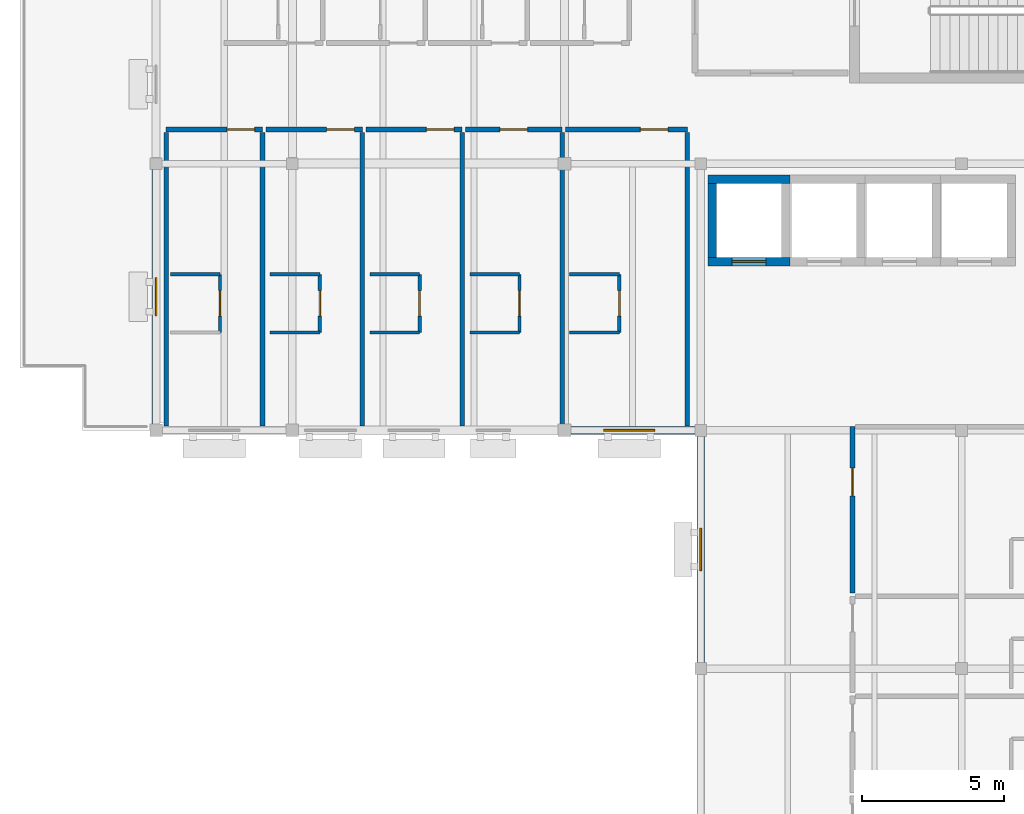
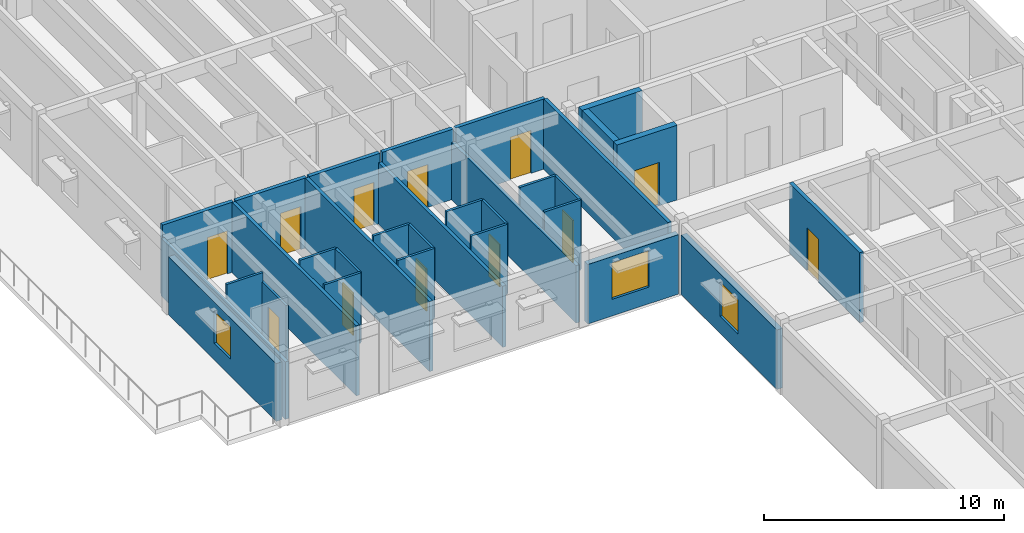
# One storey, part 7 of 15: 32 walls, 12 doors, 3 windows, 15 openings.
"""IFC4 building model written with IfcOpenShell, lengths in metres."""

from ifc_helpers import new_model, si_unit, direction, frame, frame_2d, origin, place, context, subcontext, project, spatial, rectangle, extrude, material, layer, layer_set, type_object, element, fill, save


model = new_model("IFC4")

# Units and contexts
model_context = context("Model", 3, precision=1e-05, world=origin(), true_north=direction((0.0, 1.0)))
body_context = subcontext(model_context, "Body", "Model", "MODEL_VIEW")
ifc_project = project(units=[si_unit("LENGTHUNIT", "METRE"), si_unit("AREAUNIT", "SQUARE_METRE"), si_unit("VOLUMEUNIT", "CUBIC_METRE"), si_unit("PLANEANGLEUNIT", "RADIAN"), si_unit("MASSUNIT", "GRAM", prefix="KILO")], contexts=[model_context])

# Site, building, storey
site_placement = place(None, origin())
site = spatial("IfcSite", under=ifc_project, at=site_placement, CompositionType="ELEMENT")
building_placement = place(site_placement, origin())
building = spatial("IfcBuilding", under=site, at=building_placement, Name="Veldera Park Congress Hotel", CompositionType="ELEMENT")
storey_placement = place(building_placement, frame((0.0, 0.0, 39.0)))
storey = spatial("IfcBuildingStorey", under=building, at=storey_placement, Name="L09", CompositionType="ELEMENT", Elevation=39.0)

# Wall, opening, window
ifc_material_1 = material(Name="Cross-laminated timber CLT V2M1.1", Category="wood")
ifc_layer_1 = layer(ifc_material_1, 0.280029296875)
ifc_layer_set_1 = layer_set([ifc_layer_1], Name="Cross-laminated timber CLT V2M1.1")
wall_type_1 = type_object("IfcWallType", Name="EW-CLT280", PredefinedType="STANDARD", material=ifc_layer_set_1)
wall_1_placement = place(storey_placement, frame((46.39990234375, 36.19189453125, 0.0), z_axis=(0.0, 0.0, 1.0), x_axis=(0.0, -1.0, 0.0)))
wall_1 = element("IfcWall", 1, at=wall_1_placement, inside=storey, type_object=wall_type_1, Name="L09 Exterior Wall EW3-L09-0413", PredefinedType="STANDARD", context=body_context, shape_type="SweptSolid", body=[
    extrude(rectangle(XDim=8.968994140625, YDim=0.280029296875, at=frame_2d((4.484375, 0.0))), origin(), (0.0, 0.0, 1.0), 2.93994140625),
])
opening_1_placement = place(wall_1_placement, frame((3.8095703125, 0.0, 0.85009765625)))
opening_1 = element("IfcOpeningElement", 2, at=opening_1_placement, cuts=wall_1, Name="Opening WIN-1350", PredefinedType="OPENING", context=body_context, shape_type="SweptSolid", body=[
    extrude(rectangle(XDim=1.35009765625, YDim=1.64990234375, at=frame_2d((0.675048828125, 0.824951171875))), frame((0.0, 0.152099609375, 0.0), z_axis=(0.0, -1.0, 0.0), x_axis=(1.0, 0.0, 0.0)), (0.0, 0.0, 1.0), 0.303955078125),
])
ifc_material_2 = material(Name="Low-E Triple Insulating Glass Unit (SHGC 0.22)", Category="glass")
window_type_1 = type_object("IfcWindowType", Name="WIN-1350", PartitioningType="SINGLE_PANEL", PredefinedType="WINDOW", material=ifc_material_2)
window_1_placement = place(opening_1_placement, origin())
window_1 = element("IfcWindow", 3, at=window_1_placement, inside=storey, type_object=window_type_1, Name="L09 Window WIN-1350 320", OverallHeight=1.64990234375, OverallWidth=1.35009765625, PartitioningType="SINGLE_PANEL", PredefinedType="WINDOW", context=body_context, shape_type="SweptSolid", body=[
    extrude(rectangle(XDim=1.35009765625, YDim=1.64990234375, at=frame_2d((0.675048828125, 0.824951171875))), frame((0.0, 0.030029296875, 0.0), z_axis=(0.0, -1.0, 0.0), x_axis=(1.0, 0.0, 0.0)), (0.0, 0.0, 1.0), 0.06005859375),
])
fill(opening_1, window_1)

wall_2_placement = place(storey_placement, frame((61.02294921875, 27.0, 0.0), z_axis=(0.0, 0.0, 1.0), x_axis=(1.0, 0.0, 0.0)))
wall_2 = element("IfcWall", 4, at=wall_2_placement, inside=storey, type_object=wall_type_1, Name="L09 Exterior Wall EW3-L09-0416", PredefinedType="STANDARD", context=body_context, shape_type="SweptSolid", body=[
    extrude(rectangle(XDim=4.369140625, YDim=0.280029296875, at=frame_2d((2.1845703125, 0.0))), origin(), (0.0, 0.0, 1.0), 3.02001953125),
])
opening_2_placement = place(wall_2_placement, frame((1.153564453125, 0.0, 0.85009765625)))
opening_2 = element("IfcOpeningElement", 5, at=opening_2_placement, cuts=wall_2, Name="Opening WIN-1800", PredefinedType="OPENING", context=body_context, shape_type="SweptSolid", body=[
    extrude(rectangle(XDim=1.800048828125, YDim=1.85009765625, at=frame_2d((0.89990234375, 0.925048828125))), frame((0.0, 0.152099609375, 0.0), z_axis=(0.0, -1.0, 0.0), x_axis=(1.0, 0.0, 0.0)), (0.0, 0.0, 1.0), 0.303955078125),
])
window_type_2 = type_object("IfcWindowType", Name="WIN-1800", PartitioningType="SINGLE_PANEL", PredefinedType="WINDOW", material=ifc_material_2)
window_2_placement = place(opening_2_placement, origin())
window_2 = element("IfcWindow", 6, at=window_2_placement, inside=storey, type_object=window_type_2, Name="L09 Window WIN-1800 574", OverallHeight=1.85009765625, OverallWidth=1.800048828125, PartitioningType="SINGLE_PANEL", PredefinedType="WINDOW", context=body_context, shape_type="SweptSolid", body=[
    extrude(rectangle(XDim=1.800048828125, YDim=1.85009765625, at=frame_2d((0.89990234375, 0.925048828125))), frame((0.0, 0.030029296875, 0.0), z_axis=(0.0, -1.0, 0.0), x_axis=(1.0, 0.0, 0.0)), (0.0, 0.0, 1.0), 0.06005859375),
])
fill(opening_2, window_2)

wall_3_placement = place(storey_placement, frame((65.60009765625, 26.7919921875, 0.0), z_axis=(0.0, 0.0, 1.0), x_axis=(0.0, -1.0, 0.0)))
wall_3 = element("IfcWall", 7, at=wall_3_placement, inside=storey, type_object=wall_type_1, Name="L09 Exterior Wall EW3-L09-0417", PredefinedType="STANDARD", context=body_context, shape_type="SweptSolid", body=[
    extrude(rectangle(XDim=7.98388671875, YDim=0.280029296875, at=frame_2d((3.991943359375, 0.0))), origin(), (0.0, 0.0, 1.0), 3.02001953125),
])
opening_3_placement = place(wall_3_placement, frame((3.241943359375, 0.0, 0.85009765625)))
opening_3 = element("IfcOpeningElement", 8, at=opening_3_placement, cuts=wall_3, Name="Opening WIN-1500", PredefinedType="OPENING", context=body_context, shape_type="SweptSolid", body=[
    extrude(rectangle(XDim=1.5, YDim=1.75, at=frame_2d((0.75, 0.875))), frame((0.0, 0.152099609375, 0.0), z_axis=(0.0, -1.0, 0.0), x_axis=(1.0, 0.0, 0.0)), (0.0, 0.0, 1.0), 0.303955078125),
])
window_type_3 = type_object("IfcWindowType", Name="WIN-1500", PartitioningType="SINGLE_PANEL", PredefinedType="WINDOW", material=ifc_material_2)
window_3_placement = place(opening_3_placement, origin())
window_3 = element("IfcWindow", 9, at=window_3_placement, inside=storey, type_object=window_type_3, Name="L09 Window WIN-1500 322", OverallHeight=1.75, OverallWidth=1.5, PartitioningType="SINGLE_PANEL", PredefinedType="WINDOW", context=body_context, shape_type="SweptSolid", body=[
    extrude(rectangle(XDim=1.5, YDim=1.75, at=frame_2d((0.75, 0.875))), frame((0.0, 0.030029296875, 0.0), z_axis=(0.0, -1.0, 0.0), x_axis=(1.0, 0.0, 0.0)), (0.0, 0.0, 1.0), 0.06005859375),
])
fill(opening_3, window_3)

# Wall
ifc_material_3 = material(Name="Fire-Rated Gypsum Board on Cold-Formed Steel Studs", Category="steel")
ifc_layer_2 = layer(ifc_material_3, 0.1201171875)
ifc_layer_set_2 = layer_set([ifc_layer_2], Name="Fire-Rated Gypsum Board on Cold-Formed Steel Studs")
wall_type_2 = type_object("IfcWallType", Name="IW-BATH120", PredefinedType="PARTITIONING", material=ifc_layer_set_2)
wall_4_placement = place(storey_placement, frame((46.89990234375, 32.5, 0.0), z_axis=(0.0, 0.0, 1.0), x_axis=(1.0, 0.0, 0.0)))
element("IfcWall", 10, at=wall_4_placement, inside=storey, type_object=wall_type_2, Name="L09 Partition Wall IW3-L09-01637", PredefinedType="PARTITIONING", context=body_context, shape_type="SweptSolid", body=[
    extrude(rectangle(XDim=1.75, YDim=0.1201171875, at=frame_2d((0.875, 0.0))), origin(), (0.0, 0.0, 1.0), 3.56494140625),
])

# Wall, opening, door
wall_5_placement = place(storey_placement, frame((48.64990234375, 30.449951171875, 0.0), z_axis=(0.0, 0.0, 1.0), x_axis=(0.0, 1.0, 0.0)))
wall_5 = element("IfcWall", 11, at=wall_5_placement, inside=storey, type_object=wall_type_2, Name="L09 Partition Wall IW3-L09-01638", PredefinedType="PARTITIONING", context=body_context, shape_type="SweptSolid", body=[
    extrude(rectangle(XDim=2.050048828125, YDim=0.1201171875, at=frame_2d((1.02490234375, 0.0))), origin(), (0.0, 0.0, 1.0), 3.110107421875),
])
opening_4_placement = place(wall_5_placement, frame((0.574951171875, 0.0, 0.0)))
opening_4 = element("IfcOpeningElement", 12, at=opening_4_placement, cuts=wall_5, Name="Opening ID-BATH090", PredefinedType="OPENING", context=body_context, shape_type="SweptSolid", body=[
    extrude(rectangle(XDim=0.89990234375, YDim=2.14990234375, at=frame_2d((0.449951171875, 1.074951171875))), frame((0.0, 0.072021484375, 0.0), z_axis=(0.0, -1.0, 0.0), x_axis=(1.0, 0.0, 0.0)), (0.0, 0.0, 1.0), 0.14404296875),
])
ifc_material_4 = material(Name="Solid Core White Oak Architectural Door", Category="wood")
door_type_1 = type_object("IfcDoorType", Name="ID-BATH090", OperationType="NOTDEFINED", PredefinedType="DOOR", material=ifc_material_4)
door_1_placement = place(opening_4_placement, origin())
door_1 = element("IfcDoor", 13, at=door_1_placement, inside=storey, type_object=door_type_1, Name="L09 En-suite 267 Door ID3-L09-0673 (DR3-ID3-L09-0673)", OperationType="SINGLE_SWING_LEFT", OverallHeight=2.14990234375, OverallWidth=0.89990234375, PredefinedType="DOOR", context=body_context, shape_type="SweptSolid", body=[
    extrude(rectangle(XDim=0.89990234375, YDim=2.14990234375, at=frame_2d((0.449951171875, 1.074951171875))), frame((0.0, 0.02490234375, 0.0), z_axis=(0.0, -1.0, 0.0), x_axis=(1.0, 0.0, 0.0)), (0.0, 0.0, 1.0), 0.050048828125),
])
fill(opening_4, door_1)

# Wall
wall_6_placement = place(storey_placement, frame((50.419921875, 32.5, 0.0), z_axis=(0.0, 0.0, 1.0), x_axis=(1.0, 0.0, 0.0)))
element("IfcWall", 14, at=wall_6_placement, inside=storey, type_object=wall_type_2, Name="L09 Partition Wall IW3-L09-01642", PredefinedType="PARTITIONING", context=body_context, shape_type="SweptSolid", body=[
    extrude(rectangle(XDim=1.75, YDim=0.1201171875, at=frame_2d((0.875, 0.0))), origin(), (0.0, 0.0, 1.0), 3.56494140625),
])

# Wall, opening, door
wall_7_placement = place(storey_placement, frame((52.169921875, 30.449951171875, 0.0), z_axis=(0.0, 0.0, 1.0), x_axis=(0.0, 1.0, 0.0)))
wall_7 = element("IfcWall", 15, at=wall_7_placement, inside=storey, type_object=wall_type_2, Name="L09 Partition Wall IW3-L09-01643", PredefinedType="PARTITIONING", context=body_context, shape_type="SweptSolid", body=[
    extrude(rectangle(XDim=2.050048828125, YDim=0.1201171875, at=frame_2d((1.02490234375, 0.0))), origin(), (0.0, 0.0, 1.0), 3.56494140625),
])
opening_5_placement = place(wall_7_placement, frame((0.574951171875, 0.0, 0.0)))
opening_5 = element("IfcOpeningElement", 16, at=opening_5_placement, cuts=wall_7, Name="Opening ID-BATH090", PredefinedType="OPENING", context=body_context, shape_type="SweptSolid", body=[
    extrude(rectangle(XDim=0.89990234375, YDim=2.14990234375, at=frame_2d((0.449951171875, 1.074951171875))), frame((0.0, 0.072021484375, 0.0), z_axis=(0.0, -1.0, 0.0), x_axis=(1.0, 0.0, 0.0)), (0.0, 0.0, 1.0), 0.14404296875),
])
door_2_placement = place(opening_5_placement, origin())
door_2 = element("IfcDoor", 17, at=door_2_placement, inside=storey, type_object=door_type_1, Name="L09 En-suite 268 Door ID3-L09-0675 (DR3-ID3-L09-0675)", OperationType="SINGLE_SWING_LEFT", OverallHeight=2.14990234375, OverallWidth=0.89990234375, PredefinedType="DOOR", context=body_context, shape_type="SweptSolid", body=[
    extrude(rectangle(XDim=0.89990234375, YDim=2.14990234375, at=frame_2d((0.449951171875, 1.074951171875))), frame((0.0, 0.02490234375, 0.0), z_axis=(0.0, -1.0, 0.0), x_axis=(1.0, 0.0, 0.0)), (0.0, 0.0, 1.0), 0.050048828125),
])
fill(opening_5, door_2)

# Walls
for number, where, z_axis, x_axis, name in (
    (18, (50.419921875, 30.449951171875, 0.0), (0.0, 0.0, 1.0), (1.0, 0.0, 0.0), "L09 Partition Wall IW3-L09-01644"),
    (19, (53.93994140625, 32.5, 0.0), (0.0, 0.0, 1.0), (1.0, 0.0, 0.0), "L09 Partition Wall IW3-L09-01647"),
):
    element("IfcWall", number, at=place(storey_placement, frame(where, z_axis=z_axis, x_axis=x_axis)), inside=storey, type_object=wall_type_2, Name=name, PredefinedType="PARTITIONING", context=body_context, shape_type="SweptSolid", body=[
        extrude(rectangle(XDim=1.75, YDim=0.1201171875, at=frame_2d((0.875, 0.0))), origin(), (0.0, 0.0, 1.0), 3.56494140625),
    ])

# Wall, opening, door
wall_8_placement = place(storey_placement, frame((55.68994140625, 30.449951171875, 0.0), z_axis=(0.0, 0.0, 1.0), x_axis=(0.0, 1.0, 0.0)))
wall_8 = element("IfcWall", 20, at=wall_8_placement, inside=storey, type_object=wall_type_2, Name="L09 Partition Wall IW3-L09-01648", PredefinedType="PARTITIONING", context=body_context, shape_type="SweptSolid", body=[
    extrude(rectangle(XDim=2.050048828125, YDim=0.1201171875, at=frame_2d((1.02490234375, 0.0))), origin(), (0.0, 0.0, 1.0), 3.56494140625),
])
opening_6_placement = place(wall_8_placement, frame((0.574951171875, 0.0, 0.0)))
opening_6 = element("IfcOpeningElement", 21, at=opening_6_placement, cuts=wall_8, Name="Opening ID-BATH090", PredefinedType="OPENING", context=body_context, shape_type="SweptSolid", body=[
    extrude(rectangle(XDim=0.89990234375, YDim=2.14990234375, at=frame_2d((0.449951171875, 1.074951171875))), frame((0.0, 0.072021484375, 0.0), z_axis=(0.0, -1.0, 0.0), x_axis=(1.0, 0.0, 0.0)), (0.0, 0.0, 1.0), 0.14404296875),
])
door_3_placement = place(opening_6_placement, origin())
door_3 = element("IfcDoor", 22, at=door_3_placement, inside=storey, type_object=door_type_1, Name="L09 En-suite 269 Door ID3-L09-0677 (DR3-ID3-L09-0677)", OperationType="SINGLE_SWING_LEFT", OverallHeight=2.14990234375, OverallWidth=0.89990234375, PredefinedType="DOOR", context=body_context, shape_type="SweptSolid", body=[
    extrude(rectangle(XDim=0.89990234375, YDim=2.14990234375, at=frame_2d((0.449951171875, 1.074951171875))), frame((0.0, 0.02490234375, 0.0), z_axis=(0.0, -1.0, 0.0), x_axis=(1.0, 0.0, 0.0)), (0.0, 0.0, 1.0), 0.050048828125),
])
fill(opening_6, door_3)

# Walls
for number, where, z_axis, x_axis, name in (
    (23, (53.93994140625, 30.449951171875, 0.0), (0.0, 0.0, 1.0), (1.0, 0.0, 0.0), "L09 Partition Wall IW3-L09-01649"),
    (24, (57.4599609375, 32.5, 0.0), (0.0, 0.0, 1.0), (1.0, 0.0, 0.0), "L09 Partition Wall IW3-L09-01652"),
):
    element("IfcWall", number, at=place(storey_placement, frame(where, z_axis=z_axis, x_axis=x_axis)), inside=storey, type_object=wall_type_2, Name=name, PredefinedType="PARTITIONING", context=body_context, shape_type="SweptSolid", body=[
        extrude(rectangle(XDim=1.75, YDim=0.1201171875, at=frame_2d((0.875, 0.0))), origin(), (0.0, 0.0, 1.0), 3.56494140625),
    ])

# Wall, opening, door
wall_9_placement = place(storey_placement, frame((59.2099609375, 30.449951171875, 0.0), z_axis=(0.0, 0.0, 1.0), x_axis=(0.0, 1.0, 0.0)))
wall_9 = element("IfcWall", 25, at=wall_9_placement, inside=storey, type_object=wall_type_2, Name="L09 Partition Wall IW3-L09-01653", PredefinedType="PARTITIONING", context=body_context, shape_type="SweptSolid", body=[
    extrude(rectangle(XDim=2.050048828125, YDim=0.1201171875, at=frame_2d((1.02490234375, 0.0))), origin(), (0.0, 0.0, 1.0), 3.56494140625),
])
opening_7_placement = place(wall_9_placement, frame((0.574951171875, 0.0, 0.0)))
opening_7 = element("IfcOpeningElement", 26, at=opening_7_placement, cuts=wall_9, Name="Opening ID-BATH090", PredefinedType="OPENING", context=body_context, shape_type="SweptSolid", body=[
    extrude(rectangle(XDim=0.89990234375, YDim=2.14990234375, at=frame_2d((0.449951171875, 1.074951171875))), frame((0.0, 0.072021484375, 0.0), z_axis=(0.0, -1.0, 0.0), x_axis=(1.0, 0.0, 0.0)), (0.0, 0.0, 1.0), 0.14404296875),
])
door_4_placement = place(opening_7_placement, origin())
door_4 = element("IfcDoor", 27, at=door_4_placement, inside=storey, type_object=door_type_1, Name="L09 En-suite 270 Door ID3-L09-0679 (DR3-ID3-L09-0679)", OperationType="SINGLE_SWING_LEFT", OverallHeight=2.14990234375, OverallWidth=0.89990234375, PredefinedType="DOOR", context=body_context, shape_type="SweptSolid", body=[
    extrude(rectangle(XDim=0.89990234375, YDim=2.14990234375, at=frame_2d((0.449951171875, 1.074951171875))), frame((0.0, 0.02490234375, 0.0), z_axis=(0.0, -1.0, 0.0), x_axis=(1.0, 0.0, 0.0)), (0.0, 0.0, 1.0), 0.050048828125),
])
fill(opening_7, door_4)

# Walls
for number, where, z_axis, x_axis, name in (
    (28, (57.4599609375, 30.449951171875, 0.0), (0.0, 0.0, 1.0), (1.0, 0.0, 0.0), "L09 Partition Wall IW3-L09-01654"),
    (29, (60.97998046875, 32.5, 0.0), (0.0, 0.0, 1.0), (1.0, 0.0, 0.0), "L09 Partition Wall IW3-L09-01657"),
):
    element("IfcWall", number, at=place(storey_placement, frame(where, z_axis=z_axis, x_axis=x_axis)), inside=storey, type_object=wall_type_2, Name=name, PredefinedType="PARTITIONING", context=body_context, shape_type="SweptSolid", body=[
        extrude(rectangle(XDim=1.75, YDim=0.1201171875, at=frame_2d((0.875, 0.0))), origin(), (0.0, 0.0, 1.0), 3.56494140625),
    ])

# Wall, opening, door
wall_10_placement = place(storey_placement, frame((62.72998046875, 30.449951171875, 0.0), z_axis=(0.0, 0.0, 1.0), x_axis=(0.0, 1.0, 0.0)))
wall_10 = element("IfcWall", 30, at=wall_10_placement, inside=storey, type_object=wall_type_2, Name="L09 Partition Wall IW3-L09-01658", PredefinedType="PARTITIONING", context=body_context, shape_type="SweptSolid", body=[
    extrude(rectangle(XDim=2.050048828125, YDim=0.1201171875, at=frame_2d((1.02490234375, 0.0))), origin(), (0.0, 0.0, 1.0), 3.56494140625),
])
opening_8_placement = place(wall_10_placement, frame((0.574951171875, 0.0, 0.0)))
opening_8 = element("IfcOpeningElement", 31, at=opening_8_placement, cuts=wall_10, Name="Opening ID-BATH090", PredefinedType="OPENING", context=body_context, shape_type="SweptSolid", body=[
    extrude(rectangle(XDim=0.89990234375, YDim=2.14990234375, at=frame_2d((0.449951171875, 1.074951171875))), frame((0.0, 0.072021484375, 0.0), z_axis=(0.0, -1.0, 0.0), x_axis=(1.0, 0.0, 0.0)), (0.0, 0.0, 1.0), 0.14404296875),
])
door_5_placement = place(opening_8_placement, origin())
door_5 = element("IfcDoor", 32, at=door_5_placement, inside=storey, type_object=door_type_1, Name="L09 En-suite 271 Door ID3-L09-0681 (DR3-ID3-L09-0681)", OperationType="SINGLE_SWING_LEFT", OverallHeight=2.14990234375, OverallWidth=0.89990234375, PredefinedType="DOOR", context=body_context, shape_type="SweptSolid", body=[
    extrude(rectangle(XDim=0.89990234375, YDim=2.14990234375, at=frame_2d((0.449951171875, 1.074951171875))), frame((0.0, 0.02490234375, 0.0), z_axis=(0.0, -1.0, 0.0), x_axis=(1.0, 0.0, 0.0)), (0.0, 0.0, 1.0), 0.050048828125),
])
fill(opening_8, door_5)

# Wall
wall_11_placement = place(storey_placement, frame((60.97998046875, 30.449951171875, 0.0), z_axis=(0.0, 0.0, 1.0), x_axis=(1.0, 0.0, 0.0)))
element("IfcWall", 33, at=wall_11_placement, inside=storey, type_object=wall_type_2, Name="L09 Partition Wall IW3-L09-01659", PredefinedType="PARTITIONING", context=body_context, shape_type="SweptSolid", body=[
    extrude(rectangle(XDim=1.75, YDim=0.1201171875, at=frame_2d((0.875, 0.0))), origin(), (0.0, 0.0, 1.0), 3.56494140625),
])

# Wall, opening, door
ifc_layer_3 = layer(ifc_material_3, 0.179931640625)
ifc_layer_set_3 = layer_set([ifc_layer_3], Name="Fire-Rated Gypsum Board on Cold-Formed Steel Studs")
wall_type_3 = type_object("IfcWallType", Name="IW-CORR180", PredefinedType="PARTITIONING", material=ifc_layer_set_3)
wall_12_placement = place(storey_placement, frame((70.949951171875, 27.1298828125, 0.0), z_axis=(0.0, 0.0, 1.0), x_axis=(0.0, -1.0, 0.0)))
wall_12 = element("IfcWall", 34, at=wall_12_placement, inside=storey, type_object=wall_type_3, Name="L09 Corridor Wall IW3-L09-01629", PredefinedType="PARTITIONING", context=body_context, shape_type="SweptSolid", body=[
    extrude(rectangle(XDim=5.85986328125, YDim=0.179931640625, at=frame_2d((2.929931640625, 0.0))), origin(), (0.0, 0.0, 1.0), 3.56494140625),
])
opening_9_placement = place(wall_12_placement, frame((1.4599609375, 0.0, 0.0)))
opening_9 = element("IfcOpeningElement", 35, at=opening_9_placement, cuts=wall_12, Name="Opening ID-UNIT098", PredefinedType="OPENING", context=body_context, shape_type="SweptSolid", body=[
    extrude(rectangle(XDim=0.97998046875, YDim=2.179931640625, at=frame_2d((0.489990234375, 1.08984375))), frame((0.0, 0.10205078125, 0.0), z_axis=(0.0, -1.0, 0.0), x_axis=(1.0, 0.0, 0.0)), (0.0, 0.0, 1.0), 0.203857421875),
])
door_type_2 = type_object("IfcDoorType", Name="ID-UNIT098", OperationType="NOTDEFINED", PredefinedType="DOOR", material=ifc_material_4)
door_6_placement = place(opening_9_placement, origin())
door_6 = element("IfcDoor", 36, at=door_6_placement, inside=storey, type_object=door_type_2, Name="L09 Guestroom 266 Entry Door (DR3-UD3-L09-266)", OperationType="SINGLE_SWING_RIGHT", OverallHeight=2.179931640625, OverallWidth=0.97998046875, PredefinedType="DOOR", context=body_context, shape_type="SweptSolid", body=[
    extrude(rectangle(XDim=0.97998046875, YDim=2.179931640625, at=frame_2d((0.489990234375, 1.08984375))), frame((0.0, 0.02490234375, 0.0), z_axis=(0.0, -1.0, 0.0), x_axis=(1.0, 0.0, 0.0)), (0.0, 0.0, 1.0), 0.050048828125),
])
fill(opening_9, door_6)

wall_13_placement = place(storey_placement, frame((50.14990234375, 37.60009765625, 0.0), z_axis=(0.0, 0.0, 1.0), x_axis=(-1.0, 0.0, 0.0)))
wall_13 = element("IfcWall", 37, at=wall_13_placement, inside=storey, type_object=wall_type_3, Name="L09 Corridor Wall IW3-L09-01634", PredefinedType="PARTITIONING", context=body_context, shape_type="SweptSolid", body=[
    extrude(rectangle(XDim=3.39990234375, YDim=0.179931640625, at=frame_2d((1.699951171875, 0.0))), origin(), (0.0, 0.0, 1.0), 3.56494140625),
])
opening_10_placement = place(wall_13_placement, frame((0.280029296875, 0.0, 0.0)))
opening_10 = element("IfcOpeningElement", 38, at=opening_10_placement, cuts=wall_13, Name="Opening ID-UNIT098", PredefinedType="OPENING", context=body_context, shape_type="SweptSolid", body=[
    extrude(rectangle(XDim=0.97998046875, YDim=2.179931640625, at=frame_2d((0.489990234375, 1.08984375))), frame((0.0, 0.10205078125, 0.0), z_axis=(0.0, -1.0, 0.0), x_axis=(1.0, 0.0, 0.0)), (0.0, 0.0, 1.0), 0.203857421875),
])
door_7_placement = place(opening_10_placement, frame((0.97998046875, 0.0, 0.0), z_axis=(0.0, 0.0, 1.0), x_axis=(-1.0, 0.0, 0.0)))
door_7 = element("IfcDoor", 39, at=door_7_placement, inside=storey, type_object=door_type_2, Name="L09 Guestroom 267 Entry Door (DR3-UD3-L09-267)", OperationType="SINGLE_SWING_RIGHT", OverallHeight=2.179931640625, OverallWidth=0.97998046875, PredefinedType="DOOR", context=body_context, shape_type="SweptSolid", body=[
    extrude(rectangle(XDim=0.97998046875, YDim=2.179931640625, at=frame_2d((0.489990234375, 1.08984375))), frame((0.0, 0.02490234375, 0.0), z_axis=(0.0, -1.0, 0.0), x_axis=(1.0, 0.0, 0.0)), (0.0, 0.0, 1.0), 0.050048828125),
])
fill(opening_10, door_7)

wall_14_placement = place(storey_placement, frame((53.669921875, 37.60009765625, 0.0), z_axis=(0.0, 0.0, 1.0), x_axis=(-1.0, 0.0, 0.0)))
wall_14 = element("IfcWall", 40, at=wall_14_placement, inside=storey, type_object=wall_type_3, Name="L09 Corridor Wall IW3-L09-01640", PredefinedType="PARTITIONING", context=body_context, shape_type="SweptSolid", body=[
    extrude(rectangle(XDim=3.39990234375, YDim=0.179931640625, at=frame_2d((1.699951171875, 0.0))), origin(), (0.0, 0.0, 1.0), 3.56494140625),
])
opening_11_placement = place(wall_14_placement, frame((0.280029296875, 0.0, 0.0)))
opening_11 = element("IfcOpeningElement", 41, at=opening_11_placement, cuts=wall_14, Name="Opening ID-UNIT098", PredefinedType="OPENING", context=body_context, shape_type="SweptSolid", body=[
    extrude(rectangle(XDim=0.97998046875, YDim=2.179931640625, at=frame_2d((0.489990234375, 1.08984375))), frame((0.0, 0.10205078125, 0.0), z_axis=(0.0, -1.0, 0.0), x_axis=(1.0, 0.0, 0.0)), (0.0, 0.0, 1.0), 0.203857421875),
])
door_8_placement = place(opening_11_placement, frame((0.97998046875, 0.0, 0.0), z_axis=(0.0, 0.0, 1.0), x_axis=(-1.0, 0.0, 0.0)))
door_8 = element("IfcDoor", 42, at=door_8_placement, inside=storey, type_object=door_type_2, Name="L09 Guestroom 268 Entry Door (DR3-UD3-L09-268)", OperationType="SINGLE_SWING_RIGHT", OverallHeight=2.179931640625, OverallWidth=0.97998046875, PredefinedType="DOOR", context=body_context, shape_type="SweptSolid", body=[
    extrude(rectangle(XDim=0.97998046875, YDim=2.179931640625, at=frame_2d((0.489990234375, 1.08984375))), frame((0.0, 0.02490234375, 0.0), z_axis=(0.0, -1.0, 0.0), x_axis=(1.0, 0.0, 0.0)), (0.0, 0.0, 1.0), 0.050048828125),
])
fill(opening_11, door_8)

wall_15_placement = place(storey_placement, frame((57.18994140625, 37.60009765625, 0.0), z_axis=(0.0, 0.0, 1.0), x_axis=(-1.0, 0.0, 0.0)))
wall_15 = element("IfcWall", 43, at=wall_15_placement, inside=storey, type_object=wall_type_3, Name="L09 Corridor Wall IW3-L09-01645", PredefinedType="PARTITIONING", context=body_context, shape_type="SweptSolid", body=[
    extrude(rectangle(XDim=3.39990234375, YDim=0.179931640625, at=frame_2d((1.699951171875, 0.0))), origin(), (0.0, 0.0, 1.0), 3.56494140625),
])
opening_12_placement = place(wall_15_placement, frame((0.280029296875, 0.0, 0.0)))
opening_12 = element("IfcOpeningElement", 44, at=opening_12_placement, cuts=wall_15, Name="Opening ID-UNIT098", PredefinedType="OPENING", context=body_context, shape_type="SweptSolid", body=[
    extrude(rectangle(XDim=0.97998046875, YDim=2.179931640625, at=frame_2d((0.489990234375, 1.08984375))), frame((0.0, 0.10205078125, 0.0), z_axis=(0.0, -1.0, 0.0), x_axis=(1.0, 0.0, 0.0)), (0.0, 0.0, 1.0), 0.203857421875),
])
door_9_placement = place(opening_12_placement, frame((0.97998046875, 0.0, 0.0), z_axis=(0.0, 0.0, 1.0), x_axis=(-1.0, 0.0, 0.0)))
door_9 = element("IfcDoor", 45, at=door_9_placement, inside=storey, type_object=door_type_2, Name="L09 Guestroom 269 Entry Door (DR3-UD3-L09-269)", OperationType="SINGLE_SWING_RIGHT", OverallHeight=2.179931640625, OverallWidth=0.97998046875, PredefinedType="DOOR", context=body_context, shape_type="SweptSolid", body=[
    extrude(rectangle(XDim=0.97998046875, YDim=2.179931640625, at=frame_2d((0.489990234375, 1.08984375))), frame((0.0, 0.02490234375, 0.0), z_axis=(0.0, -1.0, 0.0), x_axis=(1.0, 0.0, 0.0)), (0.0, 0.0, 1.0), 0.050048828125),
])
fill(opening_12, door_9)

wall_16_placement = place(storey_placement, frame((60.7099609375, 37.60009765625, 0.0), z_axis=(0.0, 0.0, 1.0), x_axis=(-1.0, 0.0, 0.0)))
wall_16 = element("IfcWall", 46, at=wall_16_placement, inside=storey, type_object=wall_type_3, Name="L09 Corridor Wall IW3-L09-01650", PredefinedType="PARTITIONING", context=body_context, shape_type="SweptSolid", body=[
    extrude(rectangle(XDim=3.39990234375, YDim=0.179931640625, at=frame_2d((1.699951171875, 0.0))), origin(), (0.0, 0.0, 1.0), 3.56494140625),
])
opening_13_placement = place(wall_16_placement, frame((1.2099609375, 0.0, 0.0)))
opening_13 = element("IfcOpeningElement", 47, at=opening_13_placement, cuts=wall_16, Name="Opening ID-UNIT098", PredefinedType="OPENING", context=body_context, shape_type="SweptSolid", body=[
    extrude(rectangle(XDim=0.97998046875, YDim=2.179931640625, at=frame_2d((0.489990234375, 1.08984375))), frame((0.0, 0.10205078125, 0.0), z_axis=(0.0, -1.0, 0.0), x_axis=(1.0, 0.0, 0.0)), (0.0, 0.0, 1.0), 0.203857421875),
])
door_10_placement = place(opening_13_placement, frame((0.97998046875, 0.0, 0.0), z_axis=(0.0, 0.0, 1.0), x_axis=(-1.0, 0.0, 0.0)))
door_10 = element("IfcDoor", 48, at=door_10_placement, inside=storey, type_object=door_type_2, Name="L09 Guestroom 270 Entry Door (DR3-UD3-L09-270)", OperationType="SINGLE_SWING_RIGHT", OverallHeight=2.179931640625, OverallWidth=0.97998046875, PredefinedType="DOOR", context=body_context, shape_type="SweptSolid", body=[
    extrude(rectangle(XDim=0.97998046875, YDim=2.179931640625, at=frame_2d((0.489990234375, 1.08984375))), frame((0.0, 0.02490234375, 0.0), z_axis=(0.0, -1.0, 0.0), x_axis=(1.0, 0.0, 0.0)), (0.0, 0.0, 1.0), 0.050048828125),
])
fill(opening_13, door_10)

wall_17_placement = place(storey_placement, frame((65.1298828125, 37.60009765625, 0.0), z_axis=(0.0, 0.0, 1.0), x_axis=(-1.0, 0.0, 0.0)))
wall_17 = element("IfcWall", 49, at=wall_17_placement, inside=storey, type_object=wall_type_3, Name="L09 Corridor Wall IW3-L09-01655", PredefinedType="PARTITIONING", context=body_context, shape_type="SweptSolid", body=[
    extrude(rectangle(XDim=4.2998046875, YDim=0.179931640625, at=frame_2d((2.14990234375, 0.0))), origin(), (0.0, 0.0, 1.0), 3.56494140625),
])
opening_14_placement = place(wall_17_placement, frame((0.679931640625, 0.0, 0.0)))
opening_14 = element("IfcOpeningElement", 50, at=opening_14_placement, cuts=wall_17, Name="Opening ID-UNIT098", PredefinedType="OPENING", context=body_context, shape_type="SweptSolid", body=[
    extrude(rectangle(XDim=0.97998046875, YDim=2.179931640625, at=frame_2d((0.489990234375, 1.08984375))), frame((0.0, 0.10205078125, 0.0), z_axis=(0.0, -1.0, 0.0), x_axis=(1.0, 0.0, 0.0)), (0.0, 0.0, 1.0), 0.203857421875),
])
door_11_placement = place(opening_14_placement, frame((0.97998046875, 0.0, 0.0), z_axis=(0.0, 0.0, 1.0), x_axis=(-1.0, 0.0, 0.0)))
door_11 = element("IfcDoor", 51, at=door_11_placement, inside=storey, type_object=door_type_2, Name="L09 Guestroom 271 Entry Door (DR3-UD3-L09-271)", OperationType="SINGLE_SWING_RIGHT", OverallHeight=2.179931640625, OverallWidth=0.97998046875, PredefinedType="DOOR", context=body_context, shape_type="SweptSolid", body=[
    extrude(rectangle(XDim=0.97998046875, YDim=2.179931640625, at=frame_2d((0.489990234375, 1.08984375))), frame((0.0, 0.02490234375, 0.0), z_axis=(0.0, -1.0, 0.0), x_axis=(1.0, 0.0, 0.0)), (0.0, 0.0, 1.0), 0.050048828125),
])
fill(opening_14, door_11)

# Walls
ifc_layer_4 = layer(ifc_material_1, 0.159912109375)
ifc_layer_set_4 = layer_set([ifc_layer_4], Name="Cross-laminated timber CLT V2M1.1")
wall_type_4 = type_object("IfcWallType", Name="IW-UNIT160", PredefinedType="PARTITIONING", material=ifc_layer_set_4)
wall_18_placement = place(storey_placement, frame((46.75, 27.159912109375, 0.0), z_axis=(0.0, 0.0, 1.0), x_axis=(0.0, 1.0, 0.0)))
element("IfcWall", 52, at=wall_18_placement, inside=storey, type_object=wall_type_4, Name="L09 Partition Wall IW3-L09-01635", PredefinedType="PARTITIONING", context=body_context, shape_type="SweptSolid", body=[
    extrude(rectangle(XDim=10.340087890625, YDim=0.159912109375, at=frame_2d((5.169921875, 0.0))), origin(), (0.0, 0.0, 1.0), 2.919921875),
])
for number, where, z_axis, x_axis, name in (
    (53, (50.14990234375, 27.159912109375, 0.0), (0.0, 0.0, 1.0), (0.0, 1.0, 0.0), "L09 Partition Wall IW3-L09-01636"),
    (54, (53.669921875, 27.159912109375, 0.0), (0.0, 0.0, 1.0), (0.0, 1.0, 0.0), "L09 Partition Wall IW3-L09-01641"),
):
    element("IfcWall", number, at=place(storey_placement, frame(where, z_axis=z_axis, x_axis=x_axis)), inside=storey, type_object=wall_type_4, Name=name, PredefinedType="PARTITIONING", context=body_context, shape_type="SweptSolid", body=[
        extrude(rectangle(XDim=10.340087890625, YDim=0.159912109375, at=frame_2d((5.169921875, 0.0))), origin(), (0.0, 0.0, 1.0), 3.56494140625),
    ])
wall_19_placement = place(storey_placement, frame((57.18994140625, 27.159912109375, 0.0), z_axis=(0.0, 0.0, 1.0), x_axis=(0.0, 1.0, 0.0)))
element("IfcWall", 55, at=wall_19_placement, inside=storey, type_object=wall_type_4, Name="L09 Partition Wall IW3-L09-01646", PredefinedType="PARTITIONING", context=body_context, shape_type="SweptSolid", body=[
    extrude(rectangle(XDim=10.340087890625, YDim=0.159912109375, at=frame_2d((5.169921875, 0.0))), origin(), (0.0, 0.0, 1.0), 3.110107421875),
])
wall_20_placement = place(storey_placement, frame((60.7099609375, 27.159912109375, 0.0), z_axis=(0.0, 0.0, 1.0), x_axis=(0.0, 1.0, 0.0)))
element("IfcWall", 56, at=wall_20_placement, inside=storey, type_object=wall_type_4, Name="L09 Partition Wall IW3-L09-01651", PredefinedType="PARTITIONING", context=body_context, shape_type="SweptSolid", body=[
    extrude(rectangle(XDim=10.340087890625, YDim=0.159912109375, at=frame_2d((5.169921875, 0.0))), origin(), (0.0, 0.0, 1.0), 2.919921875),
])
wall_21_placement = place(storey_placement, frame((65.1298828125, 27.159912109375, 0.0), z_axis=(0.0, 0.0, 1.0), x_axis=(0.0, 1.0, 0.0)))
element("IfcWall", 57, at=wall_21_placement, inside=storey, type_object=wall_type_4, Name="L09 Partition Wall IW3-L09-01656", PredefinedType="PARTITIONING", context=body_context, shape_type="SweptSolid", body=[
    extrude(rectangle(XDim=10.340087890625, YDim=0.159912109375, at=frame_2d((5.169921875, 0.0))), origin(), (0.0, 0.0, 1.0), 3.56494140625),
])

# Wall, opening, door
ifc_material_5 = material(Name="Concrete f'c 40 MPa (5,800 psi)", Category="concrete")
ifc_layer_5 = layer(ifc_material_5, 0.300048828125)
ifc_layer_set_5 = layer_set([ifc_layer_5], Name="Concrete f'c 40 MPa (5,800 psi)")
wall_type_5 = type_object("IfcWallType", Name="SW-SHFT300", PredefinedType="SHEAR", material=ifc_layer_set_5)
wall_22_placement = place(storey_placement, frame((65.85009765625, 32.949951171875, 0.0), z_axis=(0.0, 0.0, 1.0), x_axis=(1.0, 0.0, 0.0)))
wall_22 = element("IfcWall", 58, at=wall_22_placement, inside=storey, type_object=wall_type_5, Name="Lift PL-01 Shaft Wall L09-S", PredefinedType="SHEAR", context=body_context, shape_type="SweptSolid", body=[
    extrude(rectangle(XDim=2.89990234375, YDim=0.300048828125, at=frame_2d((1.449951171875, 0.0))), origin(), (0.0, 0.0, 1.0), 3.800048828125),
])
opening_15_placement = place(wall_22_placement, frame((0.85009765625, 0.0, 0.0)))
opening_15 = element("IfcOpeningElement", 59, at=opening_15_placement, cuts=wall_22, Name="Opening LD-120", PredefinedType="OPENING", context=body_context, shape_type="SweptSolid", body=[
    extrude(rectangle(XDim=1.199951171875, YDim=2.199951171875, at=frame_2d((0.60009765625, 1.10009765625))), frame((0.0, 0.162109375, 0.0), z_axis=(0.0, -1.0, 0.0), x_axis=(1.0, 0.0, 0.0)), (0.0, 0.0, 1.0), 0.323974609375),
])
ifc_material_6 = material(Name="Hollow Metal Fire-Rated Steel Door", Category="steel")
door_type_3 = type_object("IfcDoorType", Name="LD-120", OperationType="DOUBLE_DOOR_SLIDING", PredefinedType="DOOR", material=ifc_material_6)
door_12_placement = place(opening_15_placement, origin())
door_12 = element("IfcDoor", 60, at=door_12_placement, inside=storey, type_object=door_type_3, Name="L09 Lift PL-01 Landing Door (DR3-LD-PL-01-L09)", OperationType="DOUBLE_DOOR_SLIDING", OverallHeight=2.199951171875, OverallWidth=1.199951171875, PredefinedType="DOOR", context=body_context, shape_type="SweptSolid", body=[
    extrude(rectangle(XDim=1.199951171875, YDim=2.199951171875, at=frame_2d((0.60009765625, 1.10009765625))), frame((0.0, 0.02490234375, 0.0), z_axis=(0.0, -1.0, 0.0), x_axis=(1.0, 0.0, 0.0)), (0.0, 0.0, 1.0), 0.050048828125),
])
fill(opening_15, door_12)

# Walls
wall_23_placement = place(storey_placement, frame((68.75, 35.85009765625, 0.0), z_axis=(0.0, 0.0, 1.0), x_axis=(-1.0, 0.0, 0.0)))
element("IfcWall", 61, at=wall_23_placement, inside=storey, type_object=wall_type_5, Name="Lift PL-01 Shaft Wall L09-N", PredefinedType="SHEAR", context=body_context, shape_type="SweptSolid", body=[
    extrude(rectangle(XDim=2.89990234375, YDim=0.300048828125, at=frame_2d((1.449951171875, 0.0))), origin(), (0.0, 0.0, 1.0), 3.800048828125),
])
wall_24_placement = place(storey_placement, frame((66.0, 35.699951171875, 0.0), z_axis=(0.0, 0.0, 1.0), x_axis=(0.0, -1.0, 0.0)))
element("IfcWall", 62, at=wall_24_placement, inside=storey, type_object=wall_type_5, Name="Lift PL-01 Shaft Wall L09-W", PredefinedType="SHEAR", context=body_context, shape_type="SweptSolid", body=[
    extrude(rectangle(XDim=2.599853515625, YDim=0.300048828125, at=frame_2d((1.2998046875, 0.0))), origin(), (0.0, 0.0, 1.0), 3.800048828125),
])

save(model, "model.ifc")
